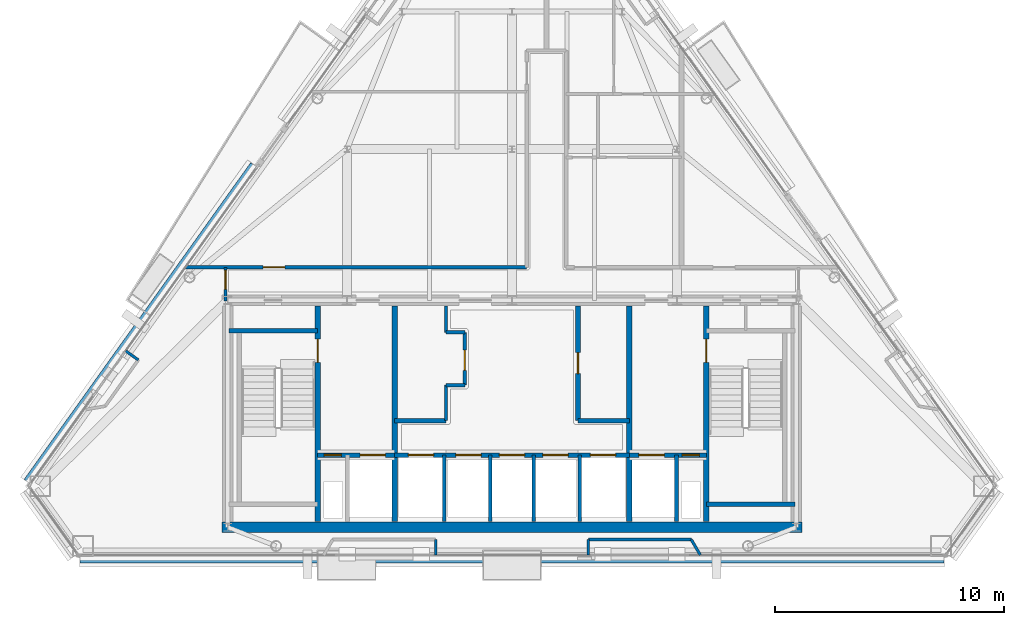
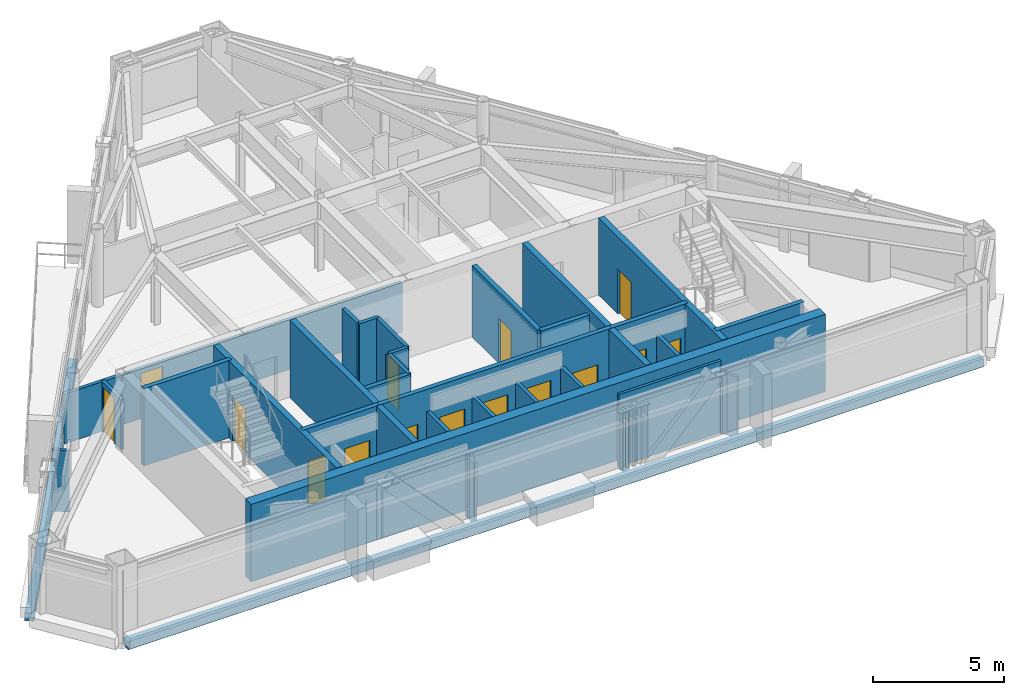
# One storey, part 8 of 12: 32 walls, 15 doors, 15 openings.
"""IFC4 building model written with IfcOpenShell, lengths in metres."""

from ifc_helpers import new_model, si_unit, direction, frame, frame_2d, origin, place, context, subcontext, project, spatial, rectangle, extrude, material, layer, layer_set, type_object, element, fill, save


model = new_model("IFC4")

# Units and contexts
model_context = context("Model", 3, precision=1e-05, world=origin(), true_north=direction((0.0, 1.0)))
body_context = subcontext(model_context, "Body", "Model", "MODEL_VIEW")
ifc_project = project(units=[si_unit("LENGTHUNIT", "METRE"), si_unit("AREAUNIT", "SQUARE_METRE"), si_unit("VOLUMEUNIT", "CUBIC_METRE"), si_unit("PLANEANGLEUNIT", "RADIAN"), si_unit("MASSUNIT", "GRAM", prefix="KILO")], contexts=[model_context])

# Site, building, storey
site_placement = place(None, origin())
site = spatial("IfcSite", under=ifc_project, at=site_placement, CompositionType="ELEMENT")
building_placement = place(site_placement, origin())
building = spatial("IfcBuilding", under=site, at=building_placement, Name="Talgorran Terracotta Tower", CompositionType="ELEMENT")
storey_placement = place(building_placement, frame((0.0, 0.0, 267.0)))
storey = spatial("IfcBuildingStorey", under=building, at=storey_placement, Name="L70", CompositionType="ELEMENT", Elevation=267.0)

# Walls
ifc_material_1 = material(Name="Concrete C50/60", Category="concrete")
ifc_layer_1 = layer(ifc_material_1, 0.199951171875, Name="WT_CORE_200")
ifc_layer_set_1 = layer_set([ifc_layer_1], Name="Concrete C50/60")
wall_type_1 = type_object("IfcWallType", Name="WT_CORE_200", PredefinedType="SOLIDWALL", material=ifc_layer_set_1)
for number, where, z_axis, x_axis, name in (
    (1, (-12.35009765625, -5.52001953125, 0.0), (0.0, 0.0, 1.0), (1.0, 0.0, 0.0), "WL-L70-CW-ST1-N"),
    (2, (8.47998046875, -13.10009765625, 0.0), (0.0, 0.0, 1.0), (1.0, 0.0, 0.0), "WL-L70-CW-ST2-S"),
):
    element("IfcWall", number, at=place(storey_placement, frame(where, z_axis=z_axis, x_axis=x_axis)), inside=storey, type_object=wall_type_1, Name=name, PredefinedType="SOLIDWALL", context=body_context, shape_type="SweptSolid", body=[
        extrude(rectangle(XDim=3.8701171875, YDim=0.199951171875, at=frame_2d((1.93505859375, 0.0))), origin(), (0.0, 0.0, 1.0), 3.60009765625),
    ])

# Wall, openings, doors
wall_1_placement = place(storey_placement, frame((-8.47998046875, -10.949951171875, 0.0), z_axis=(0.0, 0.0, 1.0), x_axis=(1.0, 0.0, 0.0)))
wall_1 = element("IfcWall", 3, at=wall_1_placement, inside=storey, type_object=wall_type_1, Name="WL-L70-CW-H-SBW", PredefinedType="SOLIDWALL", context=body_context, shape_type="SweptSolid", body=[
    extrude(rectangle(XDim=3.35986328125, YDim=0.199951171875, at=frame_2d((1.679931640625, 0.0))), origin(), (0.0, 0.0, 1.0), 3.60009765625),
])
opening_1_placement = place(wall_1_placement, frame((0.280029296875, 0.0, 0.0)))
opening_1 = element("IfcOpeningElement", 4, at=opening_1_placement, cuts=wall_1, Name="Opening DR-RSW", PredefinedType="OPENING", context=body_context, shape_type="SweptSolid", body=[
    extrude(rectangle(XDim=0.756, YDim=2.054048828125, at=frame_2d((0.375, 1.027099609375))), frame((0.0, 0.10986328125, 0.0), z_axis=(0.0, -1.0, 0.0), x_axis=(1.0, 0.0, 0.0)), (0.0, 0.0, 1.0), 0.219970703125),
])
opening_2_placement = place(wall_1_placement, frame((1.85009765625, 0.0, 0.0)))
opening_2 = element("IfcOpeningElement", 5, at=opening_2_placement, cuts=wall_1, Name="Opening LD-FFL1", PredefinedType="OPENING", context=body_context, shape_type="SweptSolid", body=[
    extrude(rectangle(XDim=1.10609765625, YDim=2.10409765625, at=frame_2d((0.550048828125, 1.052001953125))), frame((0.0, 0.10986328125, 0.0), z_axis=(0.0, -1.0, 0.0), x_axis=(1.0, 0.0, 0.0)), (0.0, 0.0, 1.0), 0.219970703125),
])
ifc_material_2 = material(Name="Brushed Stainless Steel Grade 304", Category="steel")
door_type_1 = type_object("IfcDoorType", Name="DT_LIFT_LD1100", OperationType="DOUBLE_DOOR_SLIDING", PredefinedType="DOOR", material=ifc_material_2)
door_1_placement = place(opening_2_placement, origin())
door_1 = element("IfcDoor", 6, at=door_1_placement, inside=storey, type_object=door_type_1, Name="L70 Lift Landing Door LD-FFL1", OperationType="DOUBLE_DOOR_SLIDING", OverallHeight=2.10009765625, OverallWidth=1.10009765625, PredefinedType="DOOR", context=body_context, shape_type="SweptSolid", body=[
    extrude(rectangle(XDim=1.10009765625, YDim=2.10009765625, at=frame_2d((0.550048828125, 1.050048828125))), frame((0.0, 0.02490234375, 0.0), z_axis=(0.0, -1.0, 0.0), x_axis=(1.0, 0.0, 0.0)), (0.0, 0.0, 1.0), 0.050048828125),
])
fill(opening_2, door_1)
ifc_material_3 = material(Name="Fire-Rated Pressed Steel", Category="steel")
door_type_2 = type_object("IfcDoorType", Name="DT_RISER_750", OperationType="NOTDEFINED", PredefinedType="DOOR", material=ifc_material_3)
door_2_placement = place(opening_1_placement, origin())
door_2 = element("IfcDoor", 7, at=door_2_placement, inside=storey, type_object=door_type_2, Name="DR-RSW", OperationType="SINGLE_SWING_LEFT", OverallHeight=2.050048828125, OverallWidth=0.75, PredefinedType="DOOR", context=body_context, shape_type="SweptSolid", body=[
    extrude(rectangle(XDim=0.75, YDim=2.050048828125, at=frame_2d((0.375, 1.02490234375))), frame((0.0, 0.02490234375, 0.0), z_axis=(0.0, -1.0, 0.0), x_axis=(1.0, 0.0, 0.0)), (0.0, 0.0, 1.0), 0.050048828125),
])
fill(opening_1, door_2)

wall_2_placement = place(storey_placement, frame((-5.1201171875, -10.949951171875, 0.0), z_axis=(0.0, 0.0, 1.0), x_axis=(1.0, 0.0, 0.0)))
wall_2 = element("IfcWall", 8, at=wall_2_placement, inside=storey, type_object=wall_type_1, Name="WL-L70-CW-H-SBC", PredefinedType="SOLIDWALL", context=body_context, shape_type="SweptSolid", body=[
    extrude(rectangle(XDim=10.240234375, YDim=0.199951171875, at=frame_2d((5.1201171875, 0.0))), origin(), (0.0, 0.0, 1.0), 3.60009765625),
])
opening_3_placement = place(wall_2_placement, frame((0.60009765625, 0.0, 0.0)))
opening_3 = element("IfcOpeningElement", 9, at=opening_3_placement, cuts=wall_2, Name="Opening LD-OB1", PredefinedType="OPENING", context=body_context, shape_type="SweptSolid", body=[
    extrude(rectangle(XDim=1.10609765625, YDim=2.10409765625, at=frame_2d((0.550048828125, 1.052001953125))), frame((0.0, 0.10986328125, 0.0), z_axis=(0.0, -1.0, 0.0), x_axis=(1.0, 0.0, 0.0)), (0.0, 0.0, 1.0), 0.219970703125),
])
opening_4_placement = place(wall_2_placement, frame((2.669921875, 0.0, 0.0)))
opening_4 = element("IfcOpeningElement", 10, at=opening_4_placement, cuts=wall_2, Name="Opening LD-PLH1", PredefinedType="OPENING", context=body_context, shape_type="SweptSolid", body=[
    extrude(rectangle(XDim=1.10609765625, YDim=2.10409765625, at=frame_2d((0.550048828125, 1.052001953125))), frame((0.0, 0.10986328125, 0.0), z_axis=(0.0, -1.0, 0.0), x_axis=(1.0, 0.0, 0.0)), (0.0, 0.0, 1.0), 0.219970703125),
])
opening_5_placement = place(wall_2_placement, frame((4.570068359375, 0.0, 0.0)))
opening_5 = element("IfcOpeningElement", 11, at=opening_5_placement, cuts=wall_2, Name="Opening LD-PLH2", PredefinedType="OPENING", context=body_context, shape_type="SweptSolid", body=[
    extrude(rectangle(XDim=1.10609765625, YDim=2.10409765625, at=frame_2d((0.550048828125, 1.052001953125))), frame((0.0, 0.10986328125, 0.0), z_axis=(0.0, -1.0, 0.0), x_axis=(1.0, 0.0, 0.0)), (0.0, 0.0, 1.0), 0.219970703125),
])
opening_6_placement = place(wall_2_placement, frame((6.469970703125, 0.0, 0.0)))
opening_6 = element("IfcOpeningElement", 12, at=opening_6_placement, cuts=wall_2, Name="Opening LD-PLH3", PredefinedType="OPENING", context=body_context, shape_type="SweptSolid", body=[
    extrude(rectangle(XDim=1.10609765625, YDim=2.10409765625, at=frame_2d((0.550048828125, 1.052001953125))), frame((0.0, 0.10986328125, 0.0), z_axis=(0.0, -1.0, 0.0), x_axis=(1.0, 0.0, 0.0)), (0.0, 0.0, 1.0), 0.219970703125),
])
opening_7_placement = place(wall_2_placement, frame((8.5400390625, 0.0, 0.0)))
opening_7 = element("IfcOpeningElement", 13, at=opening_7_placement, cuts=wall_2, Name="Opening LD-SVL1", PredefinedType="OPENING", context=body_context, shape_type="SweptSolid", body=[
    extrude(rectangle(XDim=1.10609765625, YDim=2.10409765625, at=frame_2d((0.550048828125, 1.052001953125))), frame((0.0, 0.10986328125, 0.0), z_axis=(0.0, -1.0, 0.0), x_axis=(1.0, 0.0, 0.0)), (0.0, 0.0, 1.0), 0.219970703125),
])
door_3_placement = place(opening_3_placement, origin())
door_3 = element("IfcDoor", 14, at=door_3_placement, inside=storey, type_object=door_type_1, Name="L70 Lift Landing Door LD-OB1", OperationType="DOUBLE_DOOR_SLIDING", OverallHeight=2.10009765625, OverallWidth=1.10009765625, PredefinedType="DOOR", context=body_context, shape_type="SweptSolid", body=[
    extrude(rectangle(XDim=1.10009765625, YDim=2.10009765625, at=frame_2d((0.550048828125, 1.050048828125))), frame((0.0, 0.02490234375, 0.0), z_axis=(0.0, -1.0, 0.0), x_axis=(1.0, 0.0, 0.0)), (0.0, 0.0, 1.0), 0.050048828125),
])
fill(opening_3, door_3)
door_4_placement = place(opening_4_placement, origin())
door_4 = element("IfcDoor", 15, at=door_4_placement, inside=storey, type_object=door_type_1, Name="L70 Lift Landing Door LD-PLH1", OperationType="DOUBLE_DOOR_SLIDING", OverallHeight=2.10009765625, OverallWidth=1.10009765625, PredefinedType="DOOR", context=body_context, shape_type="SweptSolid", body=[
    extrude(rectangle(XDim=1.10009765625, YDim=2.10009765625, at=frame_2d((0.550048828125, 1.050048828125))), frame((0.0, 0.02490234375, 0.0), z_axis=(0.0, -1.0, 0.0), x_axis=(1.0, 0.0, 0.0)), (0.0, 0.0, 1.0), 0.050048828125),
])
fill(opening_4, door_4)
door_5_placement = place(opening_5_placement, origin())
door_5 = element("IfcDoor", 16, at=door_5_placement, inside=storey, type_object=door_type_1, Name="L70 Lift Landing Door LD-PLH2", OperationType="DOUBLE_DOOR_SLIDING", OverallHeight=2.10009765625, OverallWidth=1.10009765625, PredefinedType="DOOR", context=body_context, shape_type="SweptSolid", body=[
    extrude(rectangle(XDim=1.10009765625, YDim=2.10009765625, at=frame_2d((0.550048828125, 1.050048828125))), frame((0.0, 0.02490234375, 0.0), z_axis=(0.0, -1.0, 0.0), x_axis=(1.0, 0.0, 0.0)), (0.0, 0.0, 1.0), 0.050048828125),
])
fill(opening_5, door_5)
door_6_placement = place(opening_6_placement, origin())
door_6 = element("IfcDoor", 17, at=door_6_placement, inside=storey, type_object=door_type_1, Name="L70 Lift Landing Door LD-PLH3", OperationType="DOUBLE_DOOR_SLIDING", OverallHeight=2.10009765625, OverallWidth=1.10009765625, PredefinedType="DOOR", context=body_context, shape_type="SweptSolid", body=[
    extrude(rectangle(XDim=1.10009765625, YDim=2.10009765625, at=frame_2d((0.550048828125, 1.050048828125))), frame((0.0, 0.02490234375, 0.0), z_axis=(0.0, -1.0, 0.0), x_axis=(1.0, 0.0, 0.0)), (0.0, 0.0, 1.0), 0.050048828125),
])
fill(opening_6, door_6)
door_7_placement = place(opening_7_placement, origin())
door_7 = element("IfcDoor", 18, at=door_7_placement, inside=storey, type_object=door_type_1, Name="L70 Lift Landing Door LD-SVL1", OperationType="DOUBLE_DOOR_SLIDING", OverallHeight=2.10009765625, OverallWidth=1.10009765625, PredefinedType="DOOR", context=body_context, shape_type="SweptSolid", body=[
    extrude(rectangle(XDim=1.10009765625, YDim=2.10009765625, at=frame_2d((0.550048828125, 1.050048828125))), frame((0.0, 0.02490234375, 0.0), z_axis=(0.0, -1.0, 0.0), x_axis=(1.0, 0.0, 0.0)), (0.0, 0.0, 1.0), 0.050048828125),
])
fill(opening_7, door_7)

wall_3_placement = place(storey_placement, frame((5.1201171875, -10.949951171875, 0.0), z_axis=(0.0, 0.0, 1.0), x_axis=(1.0, 0.0, 0.0)))
wall_3 = element("IfcWall", 19, at=wall_3_placement, inside=storey, type_object=wall_type_1, Name="WL-L70-CW-H-SBE", PredefinedType="SOLIDWALL", context=body_context, shape_type="SweptSolid", body=[
    extrude(rectangle(XDim=3.35986328125, YDim=0.199951171875, at=frame_2d((1.679931640625, 0.0))), origin(), (0.0, 0.0, 1.0), 3.60009765625),
])
opening_8_placement = place(wall_3_placement, frame((0.419921875, 0.0, 0.0)))
opening_8 = element("IfcOpeningElement", 20, at=opening_8_placement, cuts=wall_3, Name="Opening LD-FFL2", PredefinedType="OPENING", context=body_context, shape_type="SweptSolid", body=[
    extrude(rectangle(XDim=1.10609765625, YDim=2.10409765625, at=frame_2d((0.550048828125, 1.052001953125))), frame((0.0, 0.10986328125, 0.0), z_axis=(0.0, -1.0, 0.0), x_axis=(1.0, 0.0, 0.0)), (0.0, 0.0, 1.0), 0.219970703125),
])
opening_9_placement = place(wall_3_placement, frame((2.300048828125, 0.0, 0.0)))
opening_9 = element("IfcOpeningElement", 21, at=opening_9_placement, cuts=wall_3, Name="Opening DR-RSE", PredefinedType="OPENING", context=body_context, shape_type="SweptSolid", body=[
    extrude(rectangle(XDim=0.756, YDim=2.054048828125, at=frame_2d((0.375, 1.027099609375))), frame((0.0, 0.10986328125, 0.0), z_axis=(0.0, -1.0, 0.0), x_axis=(1.0, 0.0, 0.0)), (0.0, 0.0, 1.0), 0.219970703125),
])
door_8_placement = place(opening_8_placement, origin())
door_8 = element("IfcDoor", 22, at=door_8_placement, inside=storey, type_object=door_type_1, Name="L70 Lift Landing Door LD-FFL2", OperationType="DOUBLE_DOOR_SLIDING", OverallHeight=2.10009765625, OverallWidth=1.10009765625, PredefinedType="DOOR", context=body_context, shape_type="SweptSolid", body=[
    extrude(rectangle(XDim=1.10009765625, YDim=2.10009765625, at=frame_2d((0.550048828125, 1.050048828125))), frame((0.0, 0.02490234375, 0.0), z_axis=(0.0, -1.0, 0.0), x_axis=(1.0, 0.0, 0.0)), (0.0, 0.0, 1.0), 0.050048828125),
])
fill(opening_8, door_8)
door_9_placement = place(opening_9_placement, origin())
door_9 = element("IfcDoor", 23, at=door_9_placement, inside=storey, type_object=door_type_2, Name="DR-RSE", OperationType="SINGLE_SWING_RIGHT", OverallHeight=2.050048828125, OverallWidth=0.75, PredefinedType="DOOR", context=body_context, shape_type="SweptSolid", body=[
    extrude(rectangle(XDim=0.75, YDim=2.050048828125, at=frame_2d((0.375, 1.02490234375))), frame((0.0, 0.02490234375, 0.0), z_axis=(0.0, -1.0, 0.0), x_axis=(1.0, 0.0, 0.0)), (0.0, 0.0, 1.0), 0.050048828125),
])
fill(opening_9, door_9)

# Wall
wall_4_placement = place(storey_placement, frame((-5.1201171875, -9.449951171875, 0.0), z_axis=(0.0, 0.0, 1.0), x_axis=(1.0, 0.0, 0.0)))
element("IfcWall", 24, at=wall_4_placement, inside=storey, type_object=wall_type_1, Name="WL-L70-CW-H-W4", PredefinedType="SOLIDWALL", context=body_context, shape_type="SweptSolid", body=[
    extrude(rectangle(XDim=2.240234375, YDim=0.199951171875, at=frame_2d((1.1201171875, 0.0))), origin(), (0.0, 0.0, 1.0), 3.344970703125),
])

# Wall, opening, door
wall_5_placement = place(storey_placement, frame((2.8798828125, -9.449951171875, 0.0), z_axis=(0.0, 0.0, 1.0), x_axis=(0.0, 1.0, 0.0)))
wall_5 = element("IfcWall", 25, at=wall_5_placement, inside=storey, type_object=wall_type_1, Name="WL-L70-CW-V-E3", PredefinedType="SOLIDWALL", context=body_context, shape_type="SweptSolid", body=[
    extrude(rectangle(XDim=5.0, YDim=0.199951171875, at=frame_2d((2.5, 0.0))), origin(), (0.0, 0.0, 1.0), 3.344970703125),
])
opening_10_placement = place(wall_5_placement, frame((2.050048828125, 0.0, 0.0)))
opening_10 = element("IfcOpeningElement", 26, at=opening_10_placement, cuts=wall_5, Name="Opening DR-FRPLM-A", PredefinedType="OPENING", context=body_context, shape_type="SweptSolid", body=[
    extrude(rectangle(XDim=0.925921875, YDim=2.10409765625, at=frame_2d((0.4599609375, 1.052001953125))), frame((0.0, 0.10986328125, 0.0), z_axis=(0.0, -1.0, 0.0), x_axis=(1.0, 0.0, 0.0)), (0.0, 0.0, 1.0), 0.219970703125),
])
ifc_material_4 = material(Name="Solid-Core Painted Timber", Category="wood")
door_type_3 = type_object("IfcDoorType", Name="DT_INT_920", OperationType="NOTDEFINED", PredefinedType="DOOR", material=ifc_material_4)
door_10_placement = place(opening_10_placement, origin())
door_10 = element("IfcDoor", 27, at=door_10_placement, inside=storey, type_object=door_type_3, Name="DR-FRPLM-A", OperationType="SINGLE_SWING_RIGHT", OverallHeight=2.10009765625, OverallWidth=0.919921875, PredefinedType="DOOR", context=body_context, shape_type="SweptSolid", body=[
    extrude(rectangle(XDim=0.919921875, YDim=2.10009765625, at=frame_2d((0.4599609375, 1.050048828125))), frame((0.0, 0.02490234375, 0.0), z_axis=(0.0, -1.0, 0.0), x_axis=(1.0, 0.0, 0.0)), (0.0, 0.0, 1.0), 0.050048828125),
])
fill(opening_10, door_10)

# Wall
wall_6_placement = place(storey_placement, frame((2.8798828125, -9.449951171875, 0.0), z_axis=(0.0, 0.0, 1.0), x_axis=(1.0, 0.0, 0.0)))
element("IfcWall", 28, at=wall_6_placement, inside=storey, type_object=wall_type_1, Name="WL-L70-CW-H-E4", PredefinedType="SOLIDWALL", context=body_context, shape_type="SweptSolid", body=[
    extrude(rectangle(XDim=2.240234375, YDim=0.199951171875, at=frame_2d((1.1201171875, 0.0))), origin(), (0.0, 0.0, 1.0), 3.344970703125),
])

# Wall, opening, door
ifc_layer_2 = layer(ifc_material_1, 0.25, Name="WT_CORE_250")
ifc_layer_set_2 = layer_set([ifc_layer_2], Name="Concrete C50/60")
wall_type_2 = type_object("IfcWallType", Name="WT_CORE_250", PredefinedType="SHEAR", material=ifc_layer_set_2)
wall_7_placement = place(storey_placement, frame((-8.47998046875, -13.85009765625, 0.0), z_axis=(0.0, 0.0, 1.0), x_axis=(0.0, 1.0, 0.0)))
wall_7 = element("IfcWall", 29, at=wall_7_placement, inside=storey, type_object=wall_type_2, Name="WL-L70-CW-V-W1", PredefinedType="SHEAR", context=body_context, shape_type="SweptSolid", body=[
    extrude(rectangle(XDim=9.400146484375, YDim=0.25, at=frame_2d((4.7001953125, 0.0))), origin(), (0.0, 0.0, 1.0), 3.60009765625),
])
opening_11_placement = place(wall_7_placement, frame((6.949951171875, 0.0, 0.0)))
opening_11 = element("IfcOpeningElement", 30, at=opening_11_placement, cuts=wall_7, Name="Opening DR-ST01", PredefinedType="OPENING", context=body_context, shape_type="SweptSolid", body=[
    extrude(rectangle(XDim=1.006, YDim=2.10409765625, at=frame_2d((0.5, 1.052001953125))), frame((0.0, 0.135009765625, 0.0), z_axis=(0.0, -1.0, 0.0), x_axis=(1.0, 0.0, 0.0)), (0.0, 0.0, 1.0), 0.27001953125),
])
door_type_4 = type_object("IfcDoorType", Name="DT_FIRE_1000", OperationType="NOTDEFINED", PredefinedType="DOOR", material=ifc_material_3)
door_11_placement = place(opening_11_placement, origin())
door_11 = element("IfcDoor", 31, at=door_11_placement, inside=storey, type_object=door_type_4, Name="DR-ST01", OperationType="SINGLE_SWING_LEFT", OverallHeight=2.10009765625, OverallWidth=1.0, PredefinedType="DOOR", context=body_context, shape_type="SweptSolid", body=[
    extrude(rectangle(XDim=1.0, YDim=2.10009765625, at=frame_2d((0.5, 1.050048828125))), frame((0.0, 0.02490234375, 0.0), z_axis=(0.0, -1.0, 0.0), x_axis=(1.0, 0.0, 0.0)), (0.0, 0.0, 1.0), 0.050048828125),
])
fill(opening_11, door_11)

wall_8_placement = place(storey_placement, frame((8.47998046875, -13.85009765625, 0.0), z_axis=(0.0, 0.0, 1.0), x_axis=(0.0, 1.0, 0.0)))
wall_8 = element("IfcWall", 32, at=wall_8_placement, inside=storey, type_object=wall_type_2, Name="WL-L70-CW-V-E1", PredefinedType="SHEAR", context=body_context, shape_type="SweptSolid", body=[
    extrude(rectangle(XDim=9.400146484375, YDim=0.25, at=frame_2d((4.7001953125, 0.0))), origin(), (0.0, 0.0, 1.0), 3.60009765625),
])
opening_12_placement = place(wall_8_placement, frame((6.949951171875, 0.0, 0.0)))
opening_12 = element("IfcOpeningElement", 33, at=opening_12_placement, cuts=wall_8, Name="Opening DR-ST02", PredefinedType="OPENING", context=body_context, shape_type="SweptSolid", body=[
    extrude(rectangle(XDim=1.006, YDim=2.10409765625, at=frame_2d((0.5, 1.052001953125))), frame((0.0, 0.135009765625, 0.0), z_axis=(0.0, -1.0, 0.0), x_axis=(1.0, 0.0, 0.0)), (0.0, 0.0, 1.0), 0.27001953125),
])
door_12_placement = place(opening_12_placement, origin())
door_12 = element("IfcDoor", 34, at=door_12_placement, inside=storey, type_object=door_type_4, Name="DR-ST02", OperationType="SINGLE_SWING_RIGHT", OverallHeight=2.10009765625, OverallWidth=1.0, PredefinedType="DOOR", context=body_context, shape_type="SweptSolid", body=[
    extrude(rectangle(XDim=1.0, YDim=2.10009765625, at=frame_2d((0.5, 1.050048828125))), frame((0.0, 0.02490234375, 0.0), z_axis=(0.0, -1.0, 0.0), x_axis=(1.0, 0.0, 0.0)), (0.0, 0.0, 1.0), 0.050048828125),
])
fill(opening_12, door_12)

# Walls
for number, where, z_axis, x_axis, name in (
    (35, (-5.1201171875, -13.85009765625, 0.0), (0.0, 0.0, 1.0), (0.0, 1.0, 0.0), "WL-L70-CW-V-W2"),
    (36, (5.1201171875, -13.85009765625, 0.0), (0.0, 0.0, 1.0), (0.0, 1.0, 0.0), "WL-L70-CW-V-E2"),
):
    element("IfcWall", number, at=place(storey_placement, frame(where, z_axis=z_axis, x_axis=x_axis)), inside=storey, type_object=wall_type_2, Name=name, PredefinedType="SHEAR", context=body_context, shape_type="SweptSolid", body=[
        extrude(rectangle(XDim=9.400146484375, YDim=0.25, at=frame_2d((4.7001953125, 0.0))), origin(), (0.0, 0.0, 1.0), 3.60009765625),
    ])
ifc_material_5 = material(Name="Concrete C65/80", Category="concrete")
ifc_layer_3 = layer(ifc_material_5, 0.449951171875, Name="WT_CORE_EXT")
ifc_layer_set_3 = layer_set([ifc_layer_3], Name="Concrete C65/80")
wall_type_3 = type_object("IfcWallType", Name="WT_CORE_EXT", PredefinedType="SHEAR", material=ifc_layer_set_3)
wall_9_placement = place(storey_placement, frame((-12.64990234375, -14.10009765625, 0.0), z_axis=(0.0, 0.0, 1.0), x_axis=(1.0, 0.0, 0.0)))
element("IfcWall", 37, at=wall_9_placement, inside=storey, type_object=wall_type_3, Name="WL-L70-CW-OUT-S", PredefinedType="SHEAR", context=body_context, shape_type="SweptSolid", body=[
    extrude(rectangle(XDim=25.2998046875, YDim=0.449951171875, at=frame_2d((12.64990234375, 0.0))), origin(), (0.0, 0.0, 1.0), 3.60009765625),
])
ifc_material_6 = material(Name="Fire-Rated Steel Stud Plasterboard", Category="steel")
ifc_layer_4 = layer(ifc_material_6, 0.14990234375, Name="WT_FIRE_150")
ifc_layer_set_4 = layer_set([ifc_layer_4], Name="Fire-Rated Steel Stud Plasterboard")
wall_type_4 = type_object("IfcWallType", Name="WT_FIRE_150", PredefinedType="PARTITIONING", material=ifc_layer_set_4)
wall_10_placement = place(storey_placement, frame((-2.8798828125, -9.449951171875, 0.0), z_axis=(0.0, 0.0, 1.0), x_axis=(0.0, 1.0, 0.0)))
element("IfcWall", 38, at=wall_10_placement, inside=storey, type_object=wall_type_4, Name="WL-L70-CW-V-W3A", PredefinedType="PARTITIONING", context=body_context, shape_type="SweptSolid", body=[
    extrude(rectangle(XDim=1.550048828125, YDim=0.14990234375, at=frame_2d((0.77490234375, 0.0))), origin(), (0.0, 0.0, 1.0), 3.344970703125),
])
wall_11_placement = place(storey_placement, frame((-2.8798828125, -7.89990234375, 0.0), z_axis=(0.0, 0.0, 1.0), x_axis=(1.0, 0.0, 0.0)))
element("IfcWall", 39, at=wall_11_placement, inside=storey, type_object=wall_type_4, Name="WL-L70-CW-H-W3B", PredefinedType="PARTITIONING", context=body_context, shape_type="SweptSolid", body=[
    extrude(rectangle(XDim=0.81982421875, YDim=0.14990234375, at=frame_2d((0.409912109375, 0.0))), origin(), (0.0, 0.0, 1.0), 3.344970703125),
])

# Wall, opening, door
wall_12_placement = place(storey_placement, frame((-2.06005859375, -7.89990234375, 0.0), z_axis=(0.0, 0.0, 1.0), x_axis=(0.0, 1.0, 0.0)))
wall_12 = element("IfcWall", 40, at=wall_12_placement, inside=storey, type_object=wall_type_4, Name="WL-L70-CW-V-W3C", PredefinedType="PARTITIONING", context=body_context, shape_type="SweptSolid", body=[
    extrude(rectangle(XDim=2.2998046875, YDim=0.14990234375, at=frame_2d((1.14990234375, 0.0))), origin(), (0.0, 0.0, 1.0), 3.344970703125),
])
opening_13_placement = place(wall_12_placement, frame((0.64990234375, 0.0, 0.0)))
opening_13 = element("IfcOpeningElement", 41, at=opening_13_placement, cuts=wall_12, Name="Opening DR-FRPLL-B", PredefinedType="OPENING", context=body_context, shape_type="SweptSolid", body=[
    extrude(rectangle(XDim=0.8858828125, YDim=2.10409765625, at=frame_2d((0.43994140625, 1.052001953125))), frame((0.0, 0.0849609375, 0.0), z_axis=(0.0, -1.0, 0.0), x_axis=(1.0, 0.0, 0.0)), (0.0, 0.0, 1.0), 0.169921875),
])
door_type_5 = type_object("IfcDoorType", Name="DT_INT_880", OperationType="NOTDEFINED", PredefinedType="DOOR", material=ifc_material_4)
door_13_placement = place(opening_13_placement, origin())
door_13 = element("IfcDoor", 42, at=door_13_placement, inside=storey, type_object=door_type_5, Name="DR-FRPLL-B", OperationType="SINGLE_SWING_LEFT", OverallHeight=2.10009765625, OverallWidth=0.8798828125, PredefinedType="DOOR", context=body_context, shape_type="SweptSolid", body=[
    extrude(rectangle(XDim=0.8798828125, YDim=2.10009765625, at=frame_2d((0.43994140625, 1.050048828125))), frame((0.0, 0.02490234375, 0.0), z_axis=(0.0, -1.0, 0.0), x_axis=(1.0, 0.0, 0.0)), (0.0, 0.0, 1.0), 0.050048828125),
])
fill(opening_13, door_13)

# Walls
wall_13_placement = place(storey_placement, frame((-2.8798828125, -5.60009765625, 0.0), z_axis=(0.0, 0.0, 1.0), x_axis=(1.0, 0.0, 0.0)))
element("IfcWall", 43, at=wall_13_placement, inside=storey, type_object=wall_type_4, Name="WL-L70-CW-H-W3D", PredefinedType="PARTITIONING", context=body_context, shape_type="SweptSolid", body=[
    extrude(rectangle(XDim=0.81982421875, YDim=0.14990234375, at=frame_2d((0.409912109375, 0.0))), origin(), (0.0, 0.0, 1.0), 3.344970703125),
])
wall_14_placement = place(storey_placement, frame((-2.8798828125, -5.60009765625, 0.0), z_axis=(0.0, 0.0, 1.0), x_axis=(0.0, 1.0, 0.0)))
element("IfcWall", 44, at=wall_14_placement, inside=storey, type_object=wall_type_4, Name="WL-L70-CW-V-W3E", PredefinedType="PARTITIONING", context=body_context, shape_type="SweptSolid", body=[
    extrude(rectangle(XDim=1.150146484375, YDim=0.14990234375, at=frame_2d((0.5751953125, 0.0))), origin(), (0.0, 0.0, 1.0), 3.344970703125),
])

# Wall, opening, door
wall_15_placement = place(storey_placement, frame((-14.251220703125, -2.760009765625, 0.0), z_axis=(0.0, 0.0, 1.0), x_axis=(1.0, 0.0, 0.0)))
wall_15 = element("IfcWall", 45, at=wall_15_placement, inside=storey, type_object=wall_type_4, Name="WL-L70-W-L70-R11", PredefinedType="PARTITIONING", context=body_context, shape_type="SweptSolid", body=[
    extrude(rectangle(XDim=14.89111328125, YDim=0.14990234375, at=frame_2d((7.445556640625, 0.0))), origin(), (0.0, 0.0, 1.0), 2.320068359375),
])
opening_14_placement = place(wall_15_placement, frame((3.389892578125, 0.0, 0.0)))
opening_14 = element("IfcOpeningElement", 46, at=opening_14_placement, cuts=wall_15, Name="Opening DR-L70-R09", PredefinedType="OPENING", context=body_context, shape_type="SweptSolid", body=[
    extrude(rectangle(XDim=0.955951171875, YDim=2.10409765625, at=frame_2d((0.47509765625, 1.052001953125))), frame((0.0, 0.0849609375, 0.0), z_axis=(0.0, -1.0, 0.0), x_axis=(1.0, 0.0, 0.0)), (0.0, 0.0, 1.0), 0.169921875),
])
ifc_material_7 = material(Name="Fire-Rated Timber Core", Category="wood")
door_type_6 = type_object("IfcDoorType", Name="DT_FIRE_950", OperationType="NOTDEFINED", PredefinedType="DOOR", material=ifc_material_7)
door_14_placement = place(opening_14_placement, origin())
door_14 = element("IfcDoor", 47, at=door_14_placement, inside=storey, type_object=door_type_6, Name="DR-L70-R09", OperationType="SINGLE_SWING_LEFT", OverallHeight=2.10009765625, OverallWidth=0.949951171875, PredefinedType="DOOR", context=body_context, shape_type="SweptSolid", body=[
    extrude(rectangle(XDim=0.949951171875, YDim=2.10009765625, at=frame_2d((0.47509765625, 1.050048828125))), frame((0.0, 0.02490234375, 0.0), z_axis=(0.0, -1.0, 0.0), x_axis=(1.0, 0.0, 0.0)), (0.0, 0.0, 1.0), 0.050048828125),
])
fill(opening_14, door_14)

wall_16_placement = place(storey_placement, frame((-12.5, -4.239990234375, 0.0), z_axis=(0.0, 0.0, 1.0), x_axis=(0.0, 1.0, 0.0)))
wall_16 = element("IfcWall", 48, at=wall_16_placement, inside=storey, type_object=wall_type_4, Name="WL-L70-W-L70-R01", PredefinedType="PARTITIONING", context=body_context, shape_type="SweptSolid", body=[
    extrude(rectangle(XDim=1.47998046875, YDim=0.14990234375, at=frame_2d((0.739990234375, 0.0))), origin(), (0.0, 0.0, 1.0), 2.320068359375),
])
opening_15_placement = place(wall_16_placement, frame((0.521728515625, 0.0, 0.0)))
opening_15 = element("IfcOpeningElement", 49, at=opening_15_placement, cuts=wall_16, Name="Opening DR-L70-R01", PredefinedType="OPENING", context=body_context, shape_type="SweptSolid", body=[
    extrude(rectangle(XDim=0.826068359375, YDim=2.10409765625, at=frame_2d((0.41015625, 1.052001953125))), frame((0.0, 0.0849609375, 0.0), z_axis=(0.0, -1.0, 0.0), x_axis=(1.0, 0.0, 0.0)), (0.0, 0.0, 1.0), 0.169921875),
])
ifc_material_8 = material(Name="Moisture-Resistant Solid Timber", Category="wood")
door_type_7 = type_object("IfcDoorType", Name="DT_INT_820", OperationType="NOTDEFINED", PredefinedType="DOOR", material=ifc_material_8)
door_15_placement = place(opening_15_placement, origin())
door_15 = element("IfcDoor", 50, at=door_15_placement, inside=storey, type_object=door_type_7, Name="DR-L70-R01", OperationType="SINGLE_SWING_LEFT", OverallHeight=2.10009765625, OverallWidth=0.820068359375, PredefinedType="DOOR", context=body_context, shape_type="SweptSolid", body=[
    extrude(rectangle(XDim=0.820068359375, YDim=2.10009765625, at=frame_2d((0.41015625, 1.050048828125))), frame((0.0, 0.02490234375, 0.0), z_axis=(0.0, -1.0, 0.0), x_axis=(1.0, 0.0, 0.0)), (0.0, 0.0, 1.0), 0.050048828125),
])
fill(opening_15, door_15)

# Walls
ifc_material_9 = material(Name="Concrete C40/50", Category="concrete")
ifc_layer_5 = layer(ifc_material_9, 0.219970703125, Name="WT_PARAPET_RC")
ifc_layer_set_5 = layer_set([ifc_layer_5], Name="Concrete C40/50")
wall_type_5 = type_object("IfcWallType", Name="WT_PARAPET_RC", PredefinedType="PARAPET", material=ifc_layer_set_5)
wall_17_placement = place(storey_placement, frame((-18.840087890625, -15.47900390625, -0.199951171875), z_axis=(0.0, 0.0, 1.0), x_axis=(1.0, 0.0, 0.0)))
element("IfcWall", 51, at=wall_17_placement, inside=storey, type_object=wall_type_5, Name="L70 Striped Portal Precast Cornice F1", PredefinedType="PARAPET", context=body_context, shape_type="SweptSolid", body=[
    extrude(rectangle(XDim=37.68017578125, YDim=0.360107421875, at=frame_2d((18.840087890625, 0.0))), origin(), (0.0, 0.0, 1.0), 0.3798828125),
])
wall_18_placement = place(storey_placement, frame((-11.25830078125, 1.69970703125, -0.199951171875), z_axis=(0.0, 0.0, 1.0), x_axis=(-0.581729036712, -0.813382645405, 0.0)))
element("IfcWall", 52, at=wall_18_placement, inside=storey, type_object=wall_type_5, Name="L70 Striped Portal Precast Cornice F61", PredefinedType="PARAPET", context=body_context, shape_type="SweptSolid", body=[
    extrude(rectangle(XDim=16.9814453125, YDim=0.360107421875, at=frame_2d((8.49072265625, 0.0))), origin(), (0.0, 0.0, 1.0), 0.3798828125),
])
ifc_material_10 = material(Name="Insulated Steel Stud Plasterboard", Category="steel")
ifc_layer_6 = layer(ifc_material_10, 0.1201171875, Name="WT_PART_120")
ifc_layer_set_6 = layer_set([ifc_layer_6], Name="Insulated Steel Stud Plasterboard")
wall_type_6 = type_object("IfcWallType", Name="WT_PART_120", PredefinedType="PARTITIONING", material=ifc_layer_set_6)
wall_19_placement = place(storey_placement, frame((3.328857421875, -14.638916015625, 0.0), z_axis=(0.0, 0.0, 1.0), x_axis=(1.0, 0.0, 0.0)))
element("IfcWall", 53, at=wall_19_placement, inside=storey, type_object=wall_type_6, Name="WL-L70-BW-L70-06", PredefinedType="PARTITIONING", context=body_context, shape_type="SweptSolid", body=[
    extrude(rectangle(XDim=4.492919921875, YDim=0.1201171875, at=frame_2d((2.24658203125, 0.0))), origin(), (0.0, 0.0, 1.0), 3.344970703125),
])
wall_20_placement = place(storey_placement, frame((7.82177734375, -14.638916015625, 0.0), z_axis=(0.0, 0.0, 1.0), x_axis=(0.504887737393, -0.863185016453, 0.0)))
element("IfcWall", 54, at=wall_20_placement, inside=storey, type_object=wall_type_6, Name="WL-L70-BW-L70-04", PredefinedType="PARTITIONING", context=body_context, shape_type="SweptSolid", body=[
    extrude(rectangle(XDim=0.776123046875, YDim=0.1201171875, at=frame_2d((0.38818359375, 0.0))), origin(), (0.0, 0.0, 1.0), 2.863037109375),
])
for number, where, z_axis, x_axis, name in (
    (55, (-3.328857421875, -14.638916015625, 0.0), (0.0, 0.0, 1.0), (0.0, -1.0, 0.0), "WL-L70-BW-L70-02"),
    (56, (3.328857421875, -15.308837890625, 0.0), (0.0, 0.0, 1.0), (0.0, 1.0, 0.0), "WL-L70-BW-L70-05"),
):
    element("IfcWall", number, at=place(storey_placement, frame(where, z_axis=z_axis, x_axis=x_axis)), inside=storey, type_object=wall_type_6, Name=name, PredefinedType="PARTITIONING", context=body_context, shape_type="SweptSolid", body=[
        extrude(rectangle(XDim=0.669921875, YDim=0.1201171875, at=frame_2d((0.3349609375, 0.0))), origin(), (0.0, 0.0, 1.0), 2.863037109375),
    ])
wall_21_placement = place(storey_placement, frame((-16.849609375, -6.410400390625, 0.0), z_axis=(0.0, 0.0, 1.0), x_axis=(0.813561114612, -0.581479417341, 0.0)))
element("IfcWall", 57, at=wall_21_placement, inside=storey, type_object=wall_type_6, Name="WL-L70-BW-L70-07", PredefinedType="PARTITIONING", context=body_context, shape_type="SweptSolid", body=[
    extrude(rectangle(XDim=0.670166015625, YDim=0.1201171875, at=frame_2d((0.3349609375, 0.0))), origin(), (0.0, 0.0, 1.0), 2.863037109375),
])
ifc_material_11 = material(Name="Fire-Rated Shaftwall")
ifc_layer_7 = layer(ifc_material_11, 0.159912109375, Name="WT_PART_150")
ifc_layer_set_7 = layer_set([ifc_layer_7], Name="Fire-Rated Shaftwall")
wall_type_7 = type_object("IfcWallType", Name="WT_PART_150", PredefinedType="PARTITIONING", material=ifc_layer_set_7)
for number, where, z_axis, x_axis, name in (
    (58, (7.179931640625, -13.85009765625, 0.0), (0.0, 0.0, 1.0), (0.0, 1.0, 0.0), "WL-L70-CW-RSE"),
    (59, (-2.949951171875, -13.85009765625, 0.0), (0.0, 0.0, 1.0), (0.0, 1.0, 0.0), "WL-L70-CW-OB-E"),
    (60, (2.949951171875, -13.85009765625, 0.0), (0.0, 0.0, 1.0), (0.0, 1.0, 0.0), "WL-L70-CW-SV-W"),
    (61, (-0.949951171875, -13.85009765625, 0.0), (0.0, 0.0, 1.0), (0.0, 1.0, 0.0), "WL-L70-CW-PLH-D1"),
    (62, (0.949951171875, -13.85009765625, 0.0), (0.0, 0.0, 1.0), (0.0, 1.0, 0.0), "WL-L70-CW-PLH-D2"),
):
    element("IfcWall", number, at=place(storey_placement, frame(where, z_axis=z_axis, x_axis=x_axis)), inside=storey, type_object=wall_type_7, Name=name, PredefinedType="PARTITIONING", context=body_context, shape_type="SweptSolid", body=[
        extrude(rectangle(XDim=2.900146484375, YDim=0.159912109375, at=frame_2d((1.4501953125, 0.0))), origin(), (0.0, 0.0, 1.0), 2.570068359375),
    ])

save(model, "model.ifc")
